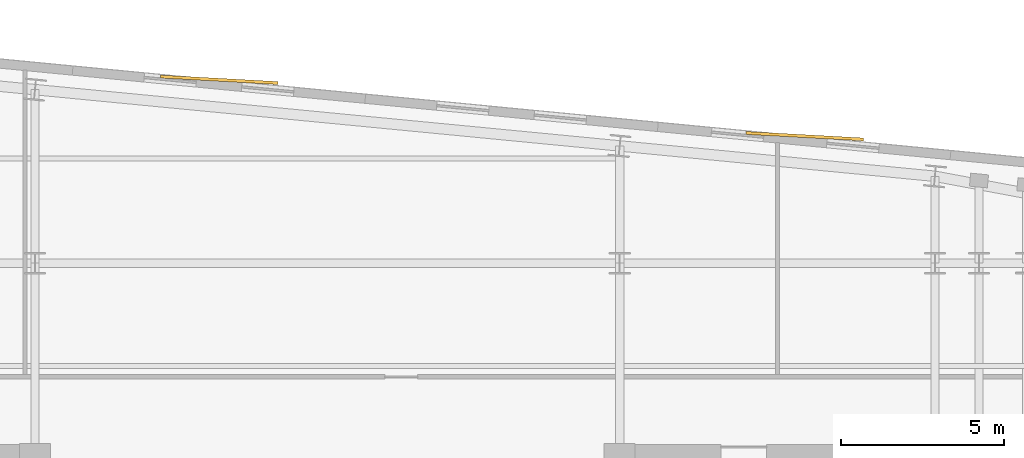
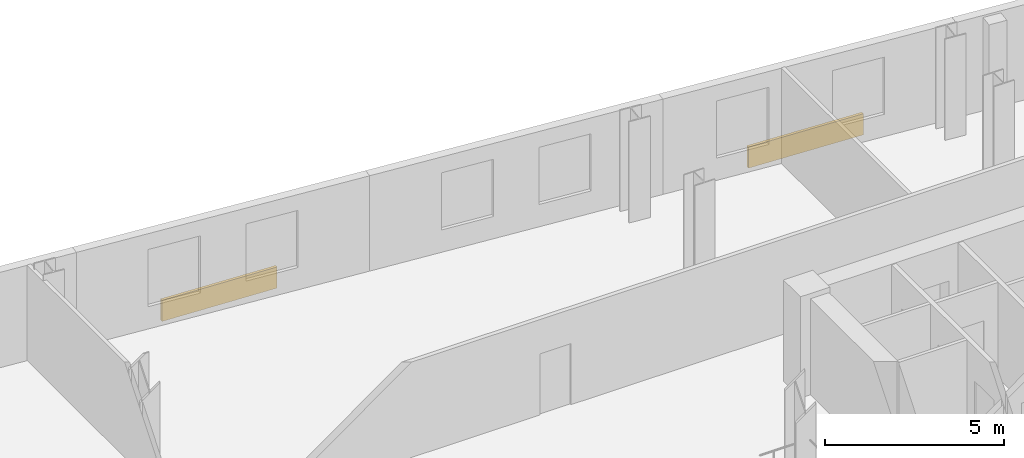
# One storey, part 9 of 9: 2 coverings.
"""IFC4 building model written with IfcOpenShell, lengths in metres."""

from ifc_helpers import new_model, si_unit, direction, frame, origin, origin_2d, place, context, subcontext, project, spatial, rectangle, extrude, material, layer, layer_set, type_object, element, save


model = new_model("IFC4")

# Units and contexts
model_context = context("Model", 3, precision=1e-05, world=origin(), true_north=direction((0.0, 1.0)))
body_context = subcontext(model_context, "Body", "Model", "MODEL_VIEW")
ifc_project = project(units=[si_unit("LENGTHUNIT", "METRE"), si_unit("AREAUNIT", "SQUARE_METRE"), si_unit("VOLUMEUNIT", "CUBIC_METRE"), si_unit("PLANEANGLEUNIT", "RADIAN"), si_unit("MASSUNIT", "GRAM", prefix="KILO")], contexts=[model_context])

# Site, building, storey
site_placement = place(None, origin())
site = spatial("IfcSite", under=ifc_project, at=site_placement, CompositionType="ELEMENT")
building_placement = place(site_placement, origin())
building = spatial("IfcBuilding", under=site, at=building_placement, Name="Velakula Bourse", CompositionType="ELEMENT")
storey_placement = place(building_placement, frame((0.0, 0.0, 167.300048828125)))
storey = spatial("IfcBuildingStorey", under=building, at=storey_placement, Name="L45", CompositionType="ELEMENT", Elevation=167.300048828125)

# Coverings
ifc_material = material(Name="Buff kilned clay facing brick masonry", Category="masonry")
ifc_layer = layer(ifc_material, 0.074951171875, Name="Buff kilned clay facing brick masonry", Category="masonry")
ifc_layer_set = layer_set([ifc_layer], Name="Buff kilned clay facing brick masonry")
covering_type = type_object("IfcCoveringType", Name="COV-BRK-SPN-75", PredefinedType="CLADDING", material=ifc_layer_set)
for number, where, z_axis, x_axis, name in (
    (1, (-3.304931640625, 20.213623046875, 0.0), (0.0, 0.0, 1.0), (0.998489097451, -0.054950179912, 0.0), "L45 Folded Brick Facade Cladding Panel N-B2"),
    (2, (14.6123046875, 18.48828125, 0.0), (0.0, 0.0, 1.0), (0.998489097451, -0.054950179912, 0.0), "L45 Folded Brick Facade Cladding Panel N-B4"),
):
    element("IfcCovering", number, at=place(storey_placement, frame(where, z_axis=z_axis, x_axis=x_axis)), inside=storey, type_object=covering_type, Name=name, PredefinedType="CLADDING", context=body_context, shape_type="SweptSolid", body=[
        extrude(rectangle(XDim=3.60009765625, YDim=0.090087890625, at=origin_2d()), origin(), (0.0, 0.0, 1.0), 0.719970703125),
    ])

save(model, "model.ifc")
